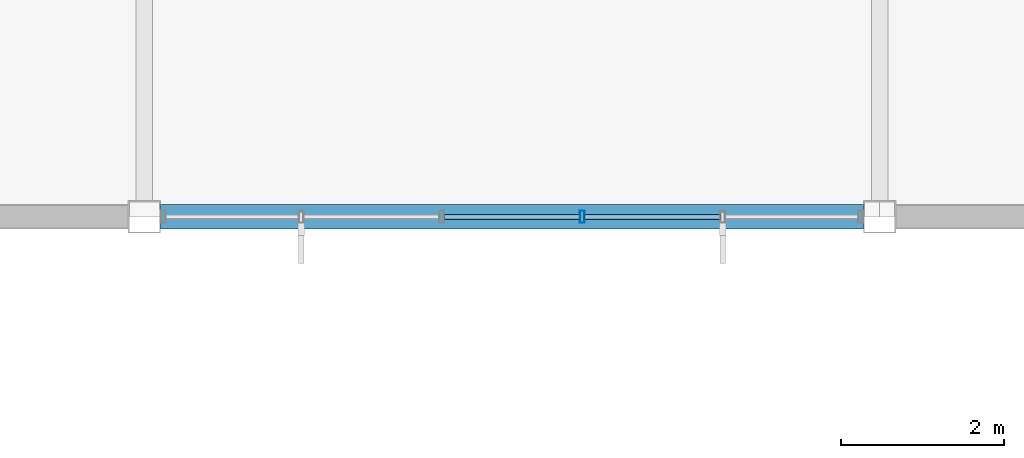
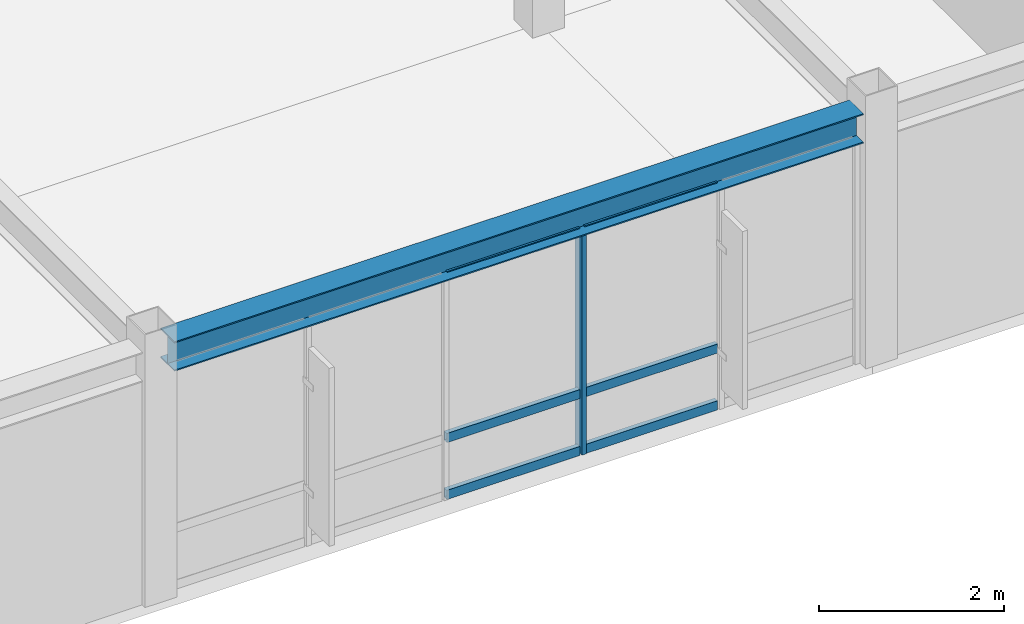
# One storey, part 5 of 34: 7 members, 1 beam, 1 element without a shape of its own.
"""IFC4 building model written with IfcOpenShell, lengths in metres."""

from ifc_helpers import new_model, si_unit, direction, frame, origin, origin_2d, place, context, subcontext, project, spatial, hollow_rectangle, i_section, extrude, material, material_profile, profile_set, type_object, element, aggregate, save


model = new_model("IFC4")

# Units and contexts
model_context = context("Model", 3, precision=1e-05, world=origin(), true_north=direction((0.0, 1.0)))
body_context = subcontext(model_context, "Body", "Model", "MODEL_VIEW")
ifc_project = project(units=[si_unit("LENGTHUNIT", "METRE"), si_unit("AREAUNIT", "SQUARE_METRE"), si_unit("VOLUMEUNIT", "CUBIC_METRE"), si_unit("PLANEANGLEUNIT", "RADIAN"), si_unit("MASSUNIT", "GRAM", prefix="KILO")], contexts=[model_context])

# Site, building, storey
site_placement = place(None, origin())
site = spatial("IfcSite", under=ifc_project, at=site_placement, CompositionType="ELEMENT")
building_placement = place(site_placement, origin())
building = spatial("IfcBuilding", under=site, at=building_placement, Name="Kazanami Central Library", CompositionType="ELEMENT")
storey_placement = place(building_placement, frame((0.0, 0.0, 17.0)))
storey = spatial("IfcBuildingStorey", under=building, at=storey_placement, Name="L05", CompositionType="ELEMENT", Elevation=17.0)

# Beam
ifc_material_1 = material(Name="Steel SN490B (325 MPa)", Category="steel")
ifc_material_profile_1 = material_profile(ifc_material_1, i_section(OverallWidth=0.300048828125, OverallDepth=0.389892578125, WebThickness=0.010009765625, FlangeThickness=0.01611328125, at=origin_2d()), Name="H-390x300x10x16")
ifc_profile_set_1 = profile_set([ifc_material_profile_1], Name="Steel SN490B (325 MPa)")
beam_type = type_object("IfcBeamType", Name="BM-SP-4", PredefinedType="SPANDREL", material=ifc_profile_set_1)
beam_placement = place(storey_placement, frame((9.197998046875, 64.800048828125, 3.14501953125), z_axis=(1.0, 0.0, 0.0), x_axis=(0.0, 1.0, 0.0)))
element("IfcBeam", 1, at=beam_placement, inside=storey, type_object=beam_type, Name="Girder SP-4 L05 K/2-3", PredefinedType="SPANDREL", context=body_context, shape_type="SweptSolid", body=[
    extrude(i_section(OverallWidth=0.300048828125, OverallDepth=0.389892578125, WebThickness=0.010009765625, FlangeThickness=0.01611328125, at=origin_2d()), origin(), (0.0, 0.0, 1.0), 8.60400390625),
])

# Curtain wall, members
ifc_material_2 = material(Name="Acid-Etched Low-E Laminated Glass", Category="glass")
curtain_wall_type = type_object("IfcCurtainWallType", Name="CW-8600x2950-M180", PredefinedType="USERDEFINED", material=ifc_material_2)
curtain_wall_placement = place(storey_placement, origin())
curtain_wall = element("IfcCurtainWall", 2, at=curtain_wall_placement, inside=storey, type_object=curtain_wall_type, Name="Unitised Curtain Wall CW-50 L05 S-K-01", ObjectType="UNITISED CURTAIN WALL", PredefinedType="USERDEFINED")
ifc_material_3 = material(Name="Anodised Aluminium A6063-T5", Category="aluminium")
ifc_material_profile_2 = material_profile(ifc_material_3, hollow_rectangle(XDim=0.06005859375, YDim=0.14990234375, WallThickness=0.00390625, at=origin_2d()), Name="ALU-MULL-60x150x4")
ifc_profile_set_2 = profile_set([ifc_material_profile_2], Name="Anodised Aluminium A6063-T5")
member_type_1 = type_object("IfcMemberType", Name="MEM-CW-M3", PredefinedType="MULLION", material=ifc_profile_set_2)
member_1_placement = place(storey_placement, frame((14.360107421875, 64.800048828125, 0.0), z_axis=(0.0, 0.0, 1.0), x_axis=(1.0, 0.0, 0.0)))
member_1 = element("IfcMember", 3, at=member_1_placement, type_object=member_type_1, Name="CW-50 mullion 4", PredefinedType="MULLION", context=body_context, shape_type="SweptSolid", body=[
    extrude(hollow_rectangle(XDim=0.06005859375, YDim=0.14990234375, WallThickness=0.00390625, at=origin_2d()), origin(), (0.0, 0.0, 1.0), 2.949951171875),
])
ifc_material_profile_3 = material_profile(ifc_material_3, hollow_rectangle(XDim=0.06005859375, YDim=0.1201171875, WallThickness=0.00341796875, at=origin_2d()), Name="ALU-TRAN-60x120x3.5")
ifc_profile_set_3 = profile_set([ifc_material_profile_3], Name="Anodised Aluminium A6063-T5")
member_type_2 = type_object("IfcMemberType", Name="MEM-CW-T3", PredefinedType="USERDEFINED", material=ifc_profile_set_3)
member_2_placement = place(storey_placement, frame((12.669921875, 64.800048828125, 0.030029296875), z_axis=(1.0, 0.0, 0.0), x_axis=(0.0, 1.0, 0.0)))
member_2 = element("IfcMember", 4, at=member_2_placement, type_object=member_type_2, Name="CW-50 transom 3.1", ObjectType="TRANSOM", PredefinedType="USERDEFINED", context=body_context, shape_type="SweptSolid", body=[
    extrude(hollow_rectangle(XDim=0.06005859375, YDim=0.1201171875, WallThickness=0.00341796875, at=origin_2d()), origin(), (0.0, 0.0, 1.0), 1.66015625),
])
member_3_placement = place(storey_placement, frame((12.669921875, 64.800048828125, 0.780029296875), z_axis=(1.0, 0.0, 0.0), x_axis=(0.0, 1.0, 0.0)))
member_3 = element("IfcMember", 5, at=member_3_placement, type_object=member_type_2, Name="CW-50 transom 3.2", ObjectType="TRANSOM", PredefinedType="USERDEFINED", context=body_context, shape_type="SweptSolid", body=[
    extrude(hollow_rectangle(XDim=0.06005859375, YDim=0.1201171875, WallThickness=0.00341796875, at=origin_2d()), origin(), (0.0, 0.0, 1.0), 1.66015625),
])
member_4_placement = place(storey_placement, frame((12.669921875, 64.800048828125, 2.919921875), z_axis=(1.0, 0.0, 0.0), x_axis=(0.0, 1.0, 0.0)))
member_4 = element("IfcMember", 6, at=member_4_placement, type_object=member_type_2, Name="CW-50 transom 3.3", ObjectType="TRANSOM", PredefinedType="USERDEFINED", context=body_context, shape_type="SweptSolid", body=[
    extrude(hollow_rectangle(XDim=0.06005859375, YDim=0.1201171875, WallThickness=0.00341796875, at=origin_2d()), origin(), (0.0, 0.0, 1.0), 1.66015625),
])
member_5_placement = place(storey_placement, frame((14.389892578125, 64.800048828125, 0.030029296875), z_axis=(1.0, 0.0, 0.0), x_axis=(0.0, 1.0, 0.0)))
member_5 = element("IfcMember", 7, at=member_5_placement, type_object=member_type_2, Name="CW-50 transom 4.1", ObjectType="TRANSOM", PredefinedType="USERDEFINED", context=body_context, shape_type="SweptSolid", body=[
    extrude(hollow_rectangle(XDim=0.06005859375, YDim=0.1201171875, WallThickness=0.00341796875, at=origin_2d()), origin(), (0.0, 0.0, 1.0), 1.66015625),
])
member_6_placement = place(storey_placement, frame((14.389892578125, 64.800048828125, 0.780029296875), z_axis=(1.0, 0.0, 0.0), x_axis=(0.0, 1.0, 0.0)))
member_6 = element("IfcMember", 8, at=member_6_placement, type_object=member_type_2, Name="CW-50 transom 4.2", ObjectType="TRANSOM", PredefinedType="USERDEFINED", context=body_context, shape_type="SweptSolid", body=[
    extrude(hollow_rectangle(XDim=0.06005859375, YDim=0.1201171875, WallThickness=0.00341796875, at=origin_2d()), origin(), (0.0, 0.0, 1.0), 1.66015625),
])
member_7_placement = place(storey_placement, frame((14.389892578125, 64.800048828125, 2.919921875), z_axis=(1.0, 0.0, 0.0), x_axis=(0.0, 1.0, 0.0)))
member_7 = element("IfcMember", 9, at=member_7_placement, type_object=member_type_2, Name="CW-50 transom 4.3", ObjectType="TRANSOM", PredefinedType="USERDEFINED", context=body_context, shape_type="SweptSolid", body=[
    extrude(hollow_rectangle(XDim=0.06005859375, YDim=0.1201171875, WallThickness=0.00341796875, at=origin_2d()), origin(), (0.0, 0.0, 1.0), 1.66015625),
])
aggregate(curtain_wall, [member_1, member_2, member_3, member_4, member_5, member_6, member_7])

save(model, "model.ifc")
